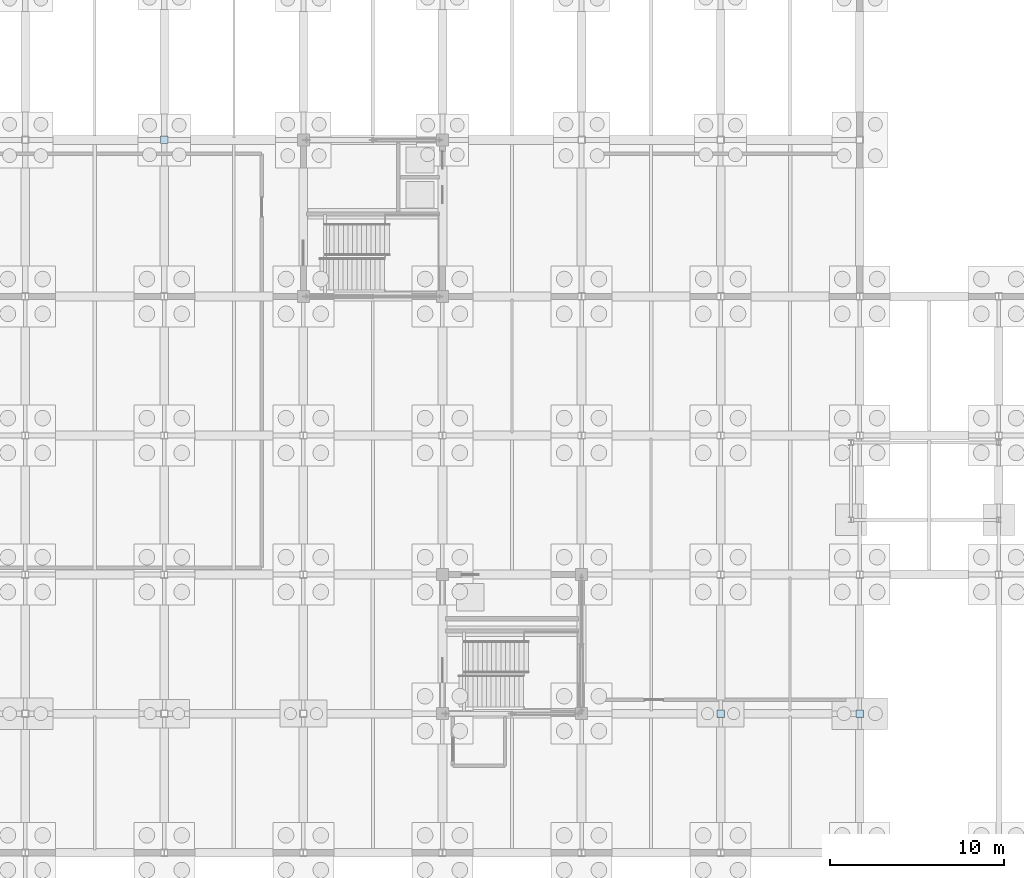
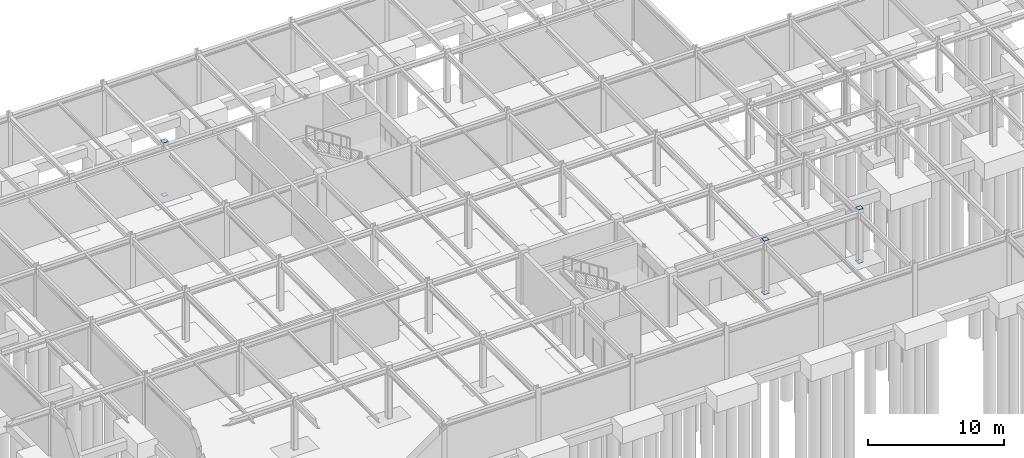
# One storey, part 57 of 72: 8 plates.
"""IFC4 building model written with IfcOpenShell, lengths in metres."""

from ifc_helpers import new_model, si_unit, direction, frame, origin, origin_2d, place, context, subcontext, project, spatial, rectangle, extrude, material, layer, layer_set, type_object, element, save


model = new_model("IFC4")

# Units and contexts
model_context = context("Model", 3, precision=1e-05, world=origin(), true_north=direction((0.0, 1.0)))
body_context = subcontext(model_context, "Body", "Model", "MODEL_VIEW")
ifc_project = project(units=[si_unit("LENGTHUNIT", "METRE"), si_unit("AREAUNIT", "SQUARE_METRE"), si_unit("VOLUMEUNIT", "CUBIC_METRE"), si_unit("PLANEANGLEUNIT", "RADIAN"), si_unit("MASSUNIT", "GRAM", prefix="KILO")], contexts=[model_context])

# Site, building, storey
site_placement = place(None, origin())
site = spatial("IfcSite", under=ifc_project, at=site_placement, CompositionType="ELEMENT")
building_placement = place(site_placement, origin())
building = spatial("IfcBuilding", under=site, at=building_placement, Name="Zhaolan Boulevard Law Courts", CompositionType="ELEMENT")
storey_placement = place(building_placement, frame((0.0, 0.0, -4.800048828125)))
storey = spatial("IfcBuildingStorey", under=building, at=storey_placement, Name="B1", CompositionType="ELEMENT", Elevation=-4.800048828125)

# Plates
ifc_material = material(Name="Structural steel Q355B", Category="steel")
ifc_layer = layer(ifc_material, 0.02001953125)
ifc_layer_set = layer_set([ifc_layer])
plate_type = type_object("IfcPlateType", Name="END CAP PLATE 20", PredefinedType="SHEET", material=ifc_layer_set)
for number, where, z_axis, x_axis, name in (
    (1, (100.0, 70.0, 4.780029296875), (0.0, 0.0, 1.0), (1.0, 0.0, 0.0), "Hollow Column Top End-Cap Plate ECP-13K"),
    (2, (108.0, 70.0, 4.780029296875), (0.0, 0.0, 1.0), (1.0, 0.0, 0.0), "Hollow Column Top End-Cap Plate ECP-14K"),
):
    element("IfcPlate", number, at=place(storey_placement, frame(where, z_axis=z_axis, x_axis=x_axis)), inside=storey, type_object=plate_type, Name=name, PredefinedType="SHEET", context=body_context, shape_type="SweptSolid", body=[
        extrude(rectangle(XDim=0.39990234375, YDim=0.39990234375, at=origin_2d()), origin(), (0.0, 0.0, 1.0), 0.02001953125),
    ])
for number, where, z_axis, x_axis, name in (
    (3, (68.0, 103.0, -0.01806640625), (0.0, 0.0, 1.0), (1.0, 0.0, 0.0), "Hollow Section End-Cap Plate ECP-0615"),
    (4, (68.0, 103.0, 4.798095703125), (0.0, 0.0, 1.0), (1.0, 0.0, 0.0), "Hollow Section End-Cap Plate ECP-0616"),
    (5, (100.0, 70.0, -0.01806640625), (0.0, 0.0, 1.0), (1.0, 0.0, 0.0), "Hollow Section End-Cap Plate ECP-0637"),
    (6, (100.0, 70.0, 4.798095703125), (0.0, 0.0, 1.0), (1.0, 0.0, 0.0), "Hollow Section End-Cap Plate ECP-0638"),
    (7, (108.0, 70.0, -0.01806640625), (0.0, 0.0, 1.0), (1.0, 0.0, 0.0), "Hollow Section End-Cap Plate ECP-0645"),
    (8, (108.0, 70.0, 4.798095703125), (0.0, 0.0, 1.0), (1.0, 0.0, 0.0), "Hollow Section End-Cap Plate ECP-0646"),
):
    element("IfcPlate", number, at=place(storey_placement, frame(where, z_axis=z_axis, x_axis=x_axis)), inside=storey, type_object=plate_type, Name=name, PredefinedType="SHEET", context=body_context, shape_type="SweptSolid", body=[
        extrude(rectangle(XDim=0.429931640625, YDim=0.429931640625, at=origin_2d()), origin(), (0.0, 0.0, 1.0), 0.02001953125),
    ])

save(model, "model.ifc")
